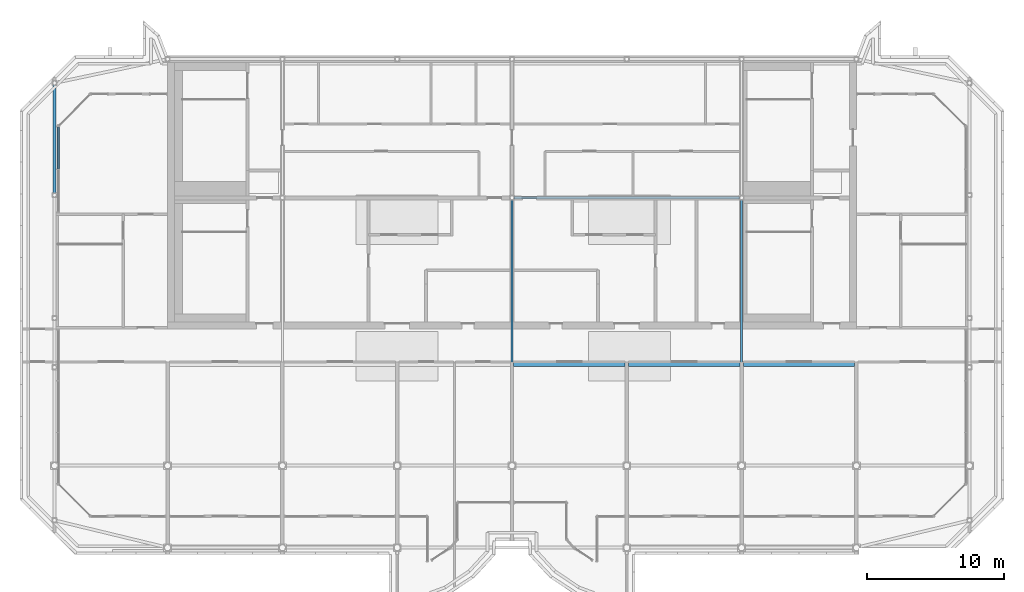
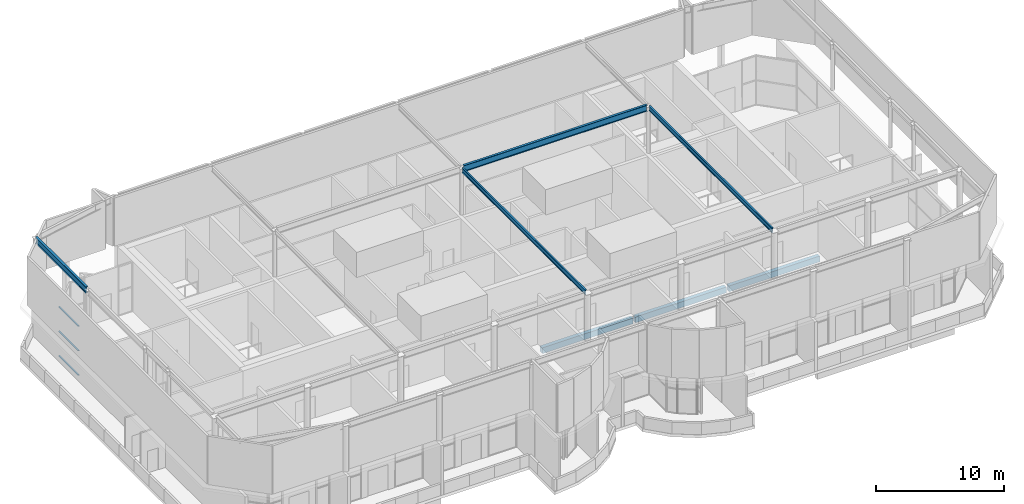
# One storey, part 11 of 25: 7 beams, 3 members, 1 element without a shape of its own.
"""IFC4 building model written with IfcOpenShell, lengths in metres."""

from ifc_helpers import new_model, si_unit, direction, frame, origin, origin_2d, place, context, subcontext, project, spatial, rectangle, i_section, extrude, source, transform, mapped, material, material_profile, profile_set, type_object, element, aggregate, save


model = new_model("IFC4")

# Units and contexts
model_context = context("Model", 3, precision=1e-05, world=origin(), true_north=direction((0.0, 1.0)))
body_context = subcontext(model_context, "Body", "Model", "MODEL_VIEW")
ifc_project = project(units=[si_unit("LENGTHUNIT", "METRE"), si_unit("AREAUNIT", "SQUARE_METRE"), si_unit("VOLUMEUNIT", "CUBIC_METRE"), si_unit("PLANEANGLEUNIT", "RADIAN"), si_unit("MASSUNIT", "GRAM", prefix="KILO")], contexts=[model_context])

# Site, building, storey
site_placement = place(None, origin())
site = spatial("IfcSite", under=ifc_project, at=site_placement, CompositionType="ELEMENT")
building_placement = place(site_placement, origin())
building = spatial("IfcBuilding", under=site, at=building_placement, Name="Vanashikhar Sky Hotel", CompositionType="ELEMENT")
storey_placement = place(building_placement, frame((0.0, 0.0, 329.699951171875)))
storey = spatial("IfcBuildingStorey", under=building, at=storey_placement, Name="L78", CompositionType="ELEMENT", Elevation=329.699951171875)

# Beams
ifc_material_1 = material(Name="Concrete M50", Category="concrete")
ifc_material_profile_1 = material_profile(ifc_material_1, rectangle(XDim=0.35009765625, YDim=0.550048828125, at=origin_2d()))
ifc_profile_set_1 = profile_set([ifc_material_profile_1], Name="RC 350x550 beam Concrete M50")
beam_type_1 = type_object("IfcBeamType", Name="RC 350x550 beam Concrete M50", PredefinedType="SPANDREL", material=ifc_profile_set_1)
shared_shape_1 = source(origin(), body_context, "Body", "SweptSolid", [
    extrude(rectangle(XDim=0.35009765625, YDim=0.550048828125, at=origin_2d()), origin(), (0.0, 0.0, 1.0), 8.150146484375),
])
for number, where, z_axis, x_axis, name in (
    (1, (50.52490234375, 19.425048828125, -0.554931640625), (1.0, 0.0, 0.0), (0.0, 1.0, 0.0), "CB-L78-04"),
    (2, (67.324951171875, 19.425048828125, -0.554931640625), (1.0, 0.0, 0.0), (0.0, 1.0, 0.0), "CB-L78-06"),
):
    element("IfcBeam", number, at=place(storey_placement, frame(where, z_axis=z_axis, x_axis=x_axis)), inside=storey, type_object=beam_type_1, Name=name, PredefinedType="SPANDREL", context=body_context, shape_type="MappedRepresentation", body=[
        mapped(shared_shape_1, transform((0.0, 0.0, 0.0), scale=1.0)),
    ])
shared_shape_2 = source(origin(), body_context, "Body", "SweptSolid", [
    extrude(rectangle(XDim=0.35009765625, YDim=0.550048828125, at=origin_2d()), origin(), (0.0, 0.0, 1.0), 8.14990234375),
])
beam_1_placement = place(storey_placement, frame((58.925048828125, 19.425048828125, -0.554931640625), z_axis=(1.0, 0.0, 0.0), x_axis=(0.0, 1.0, 0.0)))
element("IfcBeam", 3, at=beam_1_placement, inside=storey, type_object=beam_type_1, Name="CB-L78-05", PredefinedType="SPANDREL", context=body_context, shape_type="MappedRepresentation", body=[
    mapped(shared_shape_2, transform((0.0, 0.0, 0.0), scale=1.0)),
])
ifc_material_2 = material(Name="Steel S355", Category="steel")
ifc_material_profile_2 = material_profile(ifc_material_2, i_section(OverallWidth=0.2099609375, OverallDepth=0.60009765625, WebThickness=0.011962890625, FlangeThickness=0.020751953125, at=origin_2d()), Name="ISMB 600")
ifc_profile_set_2 = profile_set([ifc_material_profile_2], Name="Steel S355")
beam_type_2 = type_object("IfcBeamType", Name="ISMB 600 Steel S355", PredefinedType="BEAM", material=ifc_profile_set_2)
shared_shape_3 = source(origin(), body_context, "Body", "SweptSolid", [
    extrude(i_section(OverallWidth=0.2099609375, OverallDepth=0.60009765625, WebThickness=0.011962890625, FlangeThickness=0.020751953125, at=origin_2d()), origin(), (0.0, 0.0, 1.0), 7.8759765625),
])
beam_2_placement = place(storey_placement, frame((16.925048828125, 31.9619140625, 9.300048828125), z_axis=(0.0, 1.0, 0.0), x_axis=(-1.0, 0.0, 0.0)))
element("IfcBeam", 4, at=beam_2_placement, inside=storey, type_object=beam_type_2, Name="CR-L78-W105", PredefinedType="BEAM", context=body_context, shape_type="MappedRepresentation", body=[
    mapped(shared_shape_3, transform((0.0, 0.0, 0.0), scale=1.0)),
])
shared_shape_4 = source(origin(), body_context, "Body", "SweptSolid", [
    extrude(i_section(OverallWidth=0.2099609375, OverallDepth=0.60009765625, WebThickness=0.011962890625, FlangeThickness=0.020751953125, at=origin_2d()), origin(), (0.0, 0.0, 1.0), 16.47607421875),
])
beam_3_placement = place(storey_placement, frame((50.56201171875, 31.60009765625, 9.300048828125), z_axis=(1.0, 0.0, 0.0), x_axis=(0.0, 1.0, 0.0)))
element("IfcBeam", 5, at=beam_3_placement, inside=storey, type_object=beam_type_2, Name="CR-L78-XM02", PredefinedType="BEAM", context=body_context, shape_type="MappedRepresentation", body=[
    mapped(shared_shape_4, transform((0.0, 0.0, 0.0), scale=1.0)),
])
ifc_material_profile_3 = material_profile(ifc_material_2, i_section(OverallWidth=0.14990234375, OverallDepth=0.449951171875, WebThickness=0.009521484375, FlangeThickness=0.017333984375, at=origin_2d()), Name="ISMB 450")
ifc_profile_set_3 = profile_set([ifc_material_profile_3], Name="Steel S355")
beam_type_3 = type_object("IfcBeamType", Name="ISMB 450 Steel S355", PredefinedType="BEAM", material=ifc_profile_set_3)
shared_shape_5 = source(origin(), body_context, "Body", "SweptSolid", [
    extrude(i_section(OverallWidth=0.14990234375, OverallDepth=0.449951171875, WebThickness=0.009521484375, FlangeThickness=0.017333984375, at=origin_2d()), origin(), (0.0, 0.0, 1.0), 19.18408203125),
])
for number, where, z_axis, x_axis, name in (
    (6, (50.39990234375, 12.25390625, 9.300048828125), (0.0, 1.0, 0.0), (-1.0, 0.0, 0.0), "CR-L78-Y03"),
    (7, (67.199951171875, 12.25390625, 9.300048828125), (0.0, 1.0, 0.0), (-1.0, 0.0, 0.0), "CR-L78-Y05"),
):
    element("IfcBeam", number, at=place(storey_placement, frame(where, z_axis=z_axis, x_axis=x_axis)), inside=storey, type_object=beam_type_3, Name=name, PredefinedType="BEAM", context=body_context, shape_type="MappedRepresentation", body=[
        mapped(shared_shape_5, transform((0.0, 0.0, 0.0), scale=1.0)),
    ])

# Curtain wall, members
ifc_material_3 = material(Name="Glass", Category="glass")
curtain_wall_type = type_object("IfcCurtainWallType", Name="Observation enclosure", PredefinedType="NOTDEFINED", material=ifc_material_3)
curtain_wall_placement = place(storey_placement, origin())
curtain_wall = element("IfcCurtainWall", 8, at=curtain_wall_placement, inside=storey, type_object=curtain_wall_type, Name="Observation enclosure", PredefinedType="NOTDEFINED")
ifc_material_4 = material(Name="Aluminium 6063-T6", Category="aluminium")
ifc_material_profile_4 = material_profile(ifc_material_4, rectangle(XDim=0.1201171875, YDim=0.06005859375, at=origin_2d()))
ifc_profile_set_4 = profile_set([ifc_material_profile_4], Name="Aluminium 6063-T6")
member_type = type_object("IfcMemberType", Name="Observation transom 60 x 120", PredefinedType="USERDEFINED", material=ifc_profile_set_4)
shared_shape_6 = source(origin(), body_context, "Body", "SweptSolid", [
    extrude(rectangle(XDim=0.1201171875, YDim=0.06005859375, at=origin_2d()), origin(), (0.0, 0.0, 1.0), 3.070068359375),
])
member_1_placement = place(storey_placement, frame((17.199951171875, 36.7802734375, 0.030029296875), z_axis=(0.0, -1.0, 0.0), x_axis=(1.0, 0.0, 0.0)))
member_1 = element("IfcMember", 9, at=member_1_placement, type_object=member_type, Name="CW-6 transom 1.1", ObjectType="TRANSOM", PredefinedType="USERDEFINED", context=body_context, shape_type="MappedRepresentation", body=[
    mapped(shared_shape_6, transform((0.0, 0.0, 0.0), scale=1.0)),
])
member_2_placement = place(storey_placement, frame((17.199951171875, 36.7802734375, 2.360107421875), z_axis=(0.0, -1.0, 0.0), x_axis=(1.0, 0.0, 0.0)))
member_2 = element("IfcMember", 10, at=member_2_placement, type_object=member_type, Name="CW-6 transom 1.2", ObjectType="TRANSOM", PredefinedType="USERDEFINED", context=body_context, shape_type="MappedRepresentation", body=[
    mapped(shared_shape_6, transform((0.0, 0.0, 0.0), scale=1.0)),
])
member_3_placement = place(storey_placement, frame((17.199951171875, 36.7802734375, 4.68994140625), z_axis=(0.0, -1.0, 0.0), x_axis=(1.0, 0.0, 0.0)))
member_3 = element("IfcMember", 11, at=member_3_placement, type_object=member_type, Name="CW-6 transom 1.3", ObjectType="TRANSOM", PredefinedType="USERDEFINED", context=body_context, shape_type="MappedRepresentation", body=[
    mapped(shared_shape_6, transform((0.0, 0.0, 0.0), scale=1.0)),
])
aggregate(curtain_wall, [member_1, member_2, member_3])

save(model, "model.ifc")
